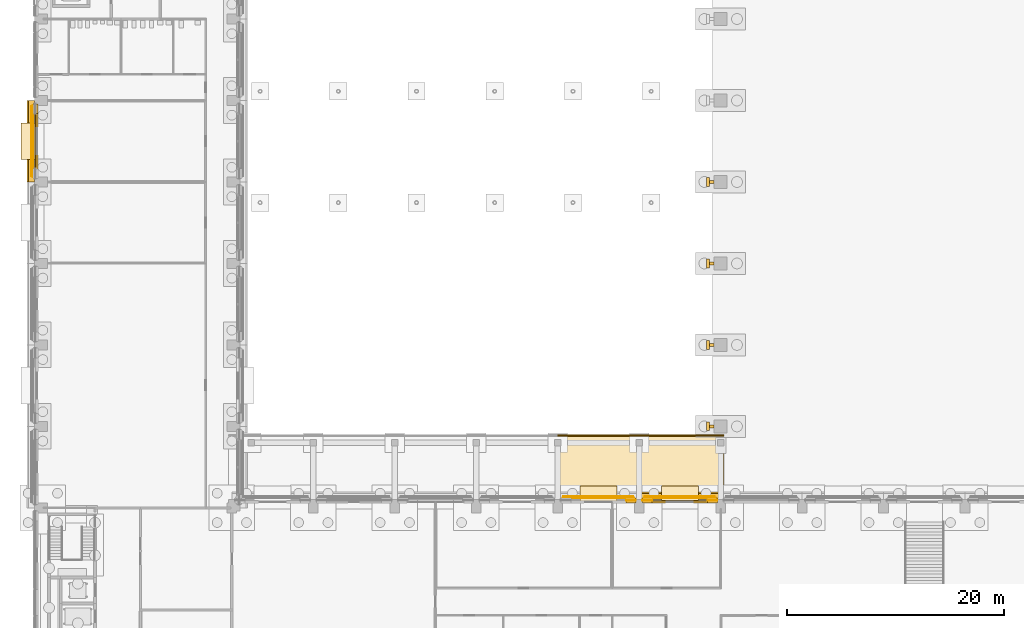
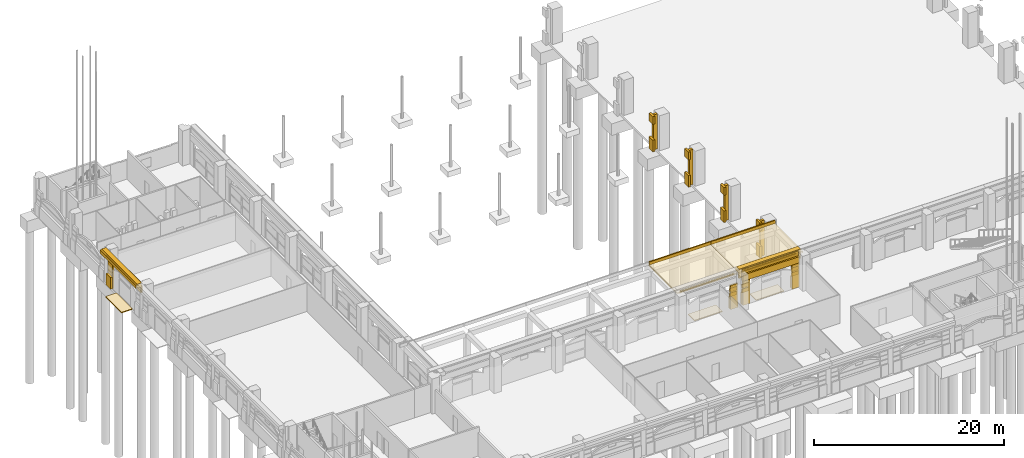
# One storey, part 74 of 99: 40 coverings, 1 element without a shape of its own.
"""IFC4 building model written with IfcOpenShell, lengths in metres."""

from ifc_helpers import new_model, si_unit, direction, frame, origin, place, context, subcontext, project, spatial, polyline, outline, extrude, material, layer, layer_set, type_object, element, aggregate, save


model = new_model("IFC4")

# Units and contexts
model_context = context("Model", 3, precision=1e-05, world=origin(), true_north=direction((0.0, 1.0)))
body_context = subcontext(model_context, "Body", "Model", "MODEL_VIEW")
ifc_project = project(units=[si_unit("LENGTHUNIT", "METRE"), si_unit("AREAUNIT", "SQUARE_METRE"), si_unit("VOLUMEUNIT", "CUBIC_METRE"), si_unit("PLANEANGLEUNIT", "RADIAN"), si_unit("MASSUNIT", "GRAM", prefix="KILO")], contexts=[model_context])

# Site, building, storey
site_placement = place(None, origin())
site = spatial("IfcSite", under=ifc_project, at=site_placement, CompositionType="ELEMENT")
building_placement = place(site_placement, origin())
building = spatial("IfcBuilding", under=site, at=building_placement, Name="Cour d'Honneur Mobility Palace", CompositionType="ELEMENT")
storey_placement = place(building_placement, origin())
storey = spatial("IfcBuildingStorey", under=building, at=storey_placement, Name="L00", CompositionType="ELEMENT", Elevation=0.0)

# Roof, coverings
ifc_material_1 = material(Name="Concrete C50", Category="concrete")
ifc_layer_1 = layer(ifc_material_1, 0.199951171875)
ifc_layer_set_1 = layer_set([ifc_layer_1], Name="Concrete C50")
roof_type = type_object("IfcRoofType", Name="Arcade canopy", PredefinedType="FLAT_ROOF", material=ifc_layer_set_1)
roof_placement = place(storey_placement, origin())
roof = element("IfcRoof", 1, at=roof_placement, inside=storey, type_object=roof_type, Name="Arcade canopy W", PredefinedType="FLAT_ROOF")
ifc_material_2 = material(Name="Concrete C50", Category="concrete")
ifc_layer_2 = layer(ifc_material_2, 0.199951171875)
ifc_layer_set_2 = layer_set([ifc_layer_2], Name="Concrete C50")
covering_type_1 = type_object("IfcCoveringType", Name="Arcade canopy slab 200", PredefinedType="ROOFING", material=ifc_layer_set_2)
covering_1_placement = place(storey_placement, frame((0.0, 0.0, 4.0)))
covering_1 = element("IfcCovering", 2, at=covering_1_placement, type_object=covering_type_1, Name="Arcade canopy slab AS-W5", PredefinedType="ROOFING", context=body_context, shape_type="SweptSolid", body=[
    extrude(outline(polyline([(47.39990234375, 63.14990234375), (54.89990234375, 63.14990234375), (54.89990234375, 69.14990234375), (47.39990234375, 69.14990234375), (47.39990234375, 63.14990234375)])), origin(), (0.0, 0.0, 1.0), 0.199951171875),
])
covering_2_placement = place(storey_placement, frame((0.0, 0.0, 4.0)))
covering_2 = element("IfcCovering", 3, at=covering_2_placement, type_object=covering_type_1, Name="Arcade canopy slab AS-W6", PredefinedType="ROOFING", context=body_context, shape_type="SweptSolid", body=[
    extrude(outline(polyline([(54.89990234375, 63.14990234375), (62.699951171875, 63.14990234375), (62.699951171875, 69.14990234375), (54.89990234375, 69.14990234375), (54.89990234375, 63.14990234375)])), origin(), (0.0, 0.0, 1.0), 0.199951171875),
])
ifc_material_3 = material(Name="Concrete C50", Category="concrete")
ifc_layer_3 = layer(ifc_material_3, 0.14990234375)
ifc_layer_set_3 = layer_set([ifc_layer_3], Name="Concrete C50")
covering_type_2 = type_object("IfcCoveringType", Name="Arcade parapet 400", PredefinedType="CLADDING", material=ifc_layer_set_3)
covering_3_placement = place(storey_placement, frame((0.0, 0.0, 4.199951171875)))
covering_3 = element("IfcCovering", 4, at=covering_3_placement, type_object=covering_type_2, Name="Arcade parapet AP-W5", PredefinedType="CLADDING", context=body_context, shape_type="SweptSolid", body=[
    extrude(outline(polyline([(47.39990234375, 69.0), (54.89990234375, 69.0), (54.89990234375, 69.14990234375), (47.39990234375, 69.14990234375), (47.39990234375, 69.0)])), origin(), (0.0, 0.0, 1.0), 0.400146484375),
])
covering_4_placement = place(storey_placement, frame((0.0, 0.0, 4.199951171875)))
covering_4 = element("IfcCovering", 5, at=covering_4_placement, type_object=covering_type_2, Name="Arcade parapet AP-W6", PredefinedType="CLADDING", context=body_context, shape_type="SweptSolid", body=[
    extrude(outline(polyline([(54.89990234375, 69.0), (62.699951171875, 69.0), (62.699951171875, 69.14990234375), (54.89990234375, 69.14990234375), (54.89990234375, 69.0)])), origin(), (0.0, 0.0, 1.0), 0.400146484375),
])
aggregate(roof, [covering_1, covering_3, covering_2, covering_4])

# Coverings
ifc_material_4 = material(Name="Cast limestone", Category="masonry")
ifc_layer_4 = layer(ifc_material_4, 0.14990234375)
ifc_layer_set_4 = layer_set([ifc_layer_4], Name="Cast limestone")
covering_type_3 = type_object("IfcCoveringType", Name="Dentil course", PredefinedType="CLADDING", material=ifc_layer_set_4)
covering_5_placement = place(storey_placement, frame((0.0, 0.0, 3.949951171875)))
element("IfcCovering", 6, at=covering_5_placement, inside=storey, type_object=covering_type_3, Name="Dentil course DC-49", PredefinedType="CLADDING", context=body_context, shape_type="SweptSolid", body=[
    extrude(outline(polyline([(61.949951171875, 63.300048828125), (55.35009765625, 63.300048828125), (55.35009765625, 63.330078125), (55.35009765625, 63.330078125), (55.428466796875, 63.330078125), (55.428466796875, 63.449951171875), (55.585693359375, 63.449951171875), (55.585693359375, 63.330078125), (55.664306640625, 63.330078125), (55.664306640625, 63.330078125), (55.742919921875, 63.330078125), (55.742919921875, 63.449951171875), (55.89990234375, 63.449951171875), (55.89990234375, 63.330078125), (55.978515625, 63.330078125), (55.978515625, 63.330078125), (56.05712890625, 63.330078125), (56.05712890625, 63.449951171875), (56.21435546875, 63.449951171875), (56.21435546875, 63.330078125), (56.29296875, 63.330078125), (56.29296875, 63.330078125), (56.371337890625, 63.330078125), (56.371337890625, 63.449951171875), (56.528564453125, 63.449951171875), (56.528564453125, 63.330078125), (56.607177734375, 63.330078125), (56.607177734375, 63.330078125), (56.685791015625, 63.330078125), (56.685791015625, 63.449951171875), (56.8427734375, 63.449951171875), (56.8427734375, 63.330078125), (56.92138671875, 63.330078125), (56.92138671875, 63.330078125), (57.0, 63.330078125), (57.0, 63.449951171875), (57.1572265625, 63.449951171875), (57.1572265625, 63.330078125), (57.235595703125, 63.330078125), (57.235595703125, 63.330078125), (57.314208984375, 63.330078125), (57.314208984375, 63.449951171875), (57.471435546875, 63.449951171875), (57.471435546875, 63.330078125), (57.550048828125, 63.330078125), (57.550048828125, 63.330078125), (57.628662109375, 63.330078125), (57.628662109375, 63.449951171875), (57.78564453125, 63.449951171875), (57.78564453125, 63.330078125), (57.8642578125, 63.330078125), (57.8642578125, 63.330078125), (57.94287109375, 63.330078125), (57.94287109375, 63.449951171875), (58.10009765625, 63.449951171875), (58.10009765625, 63.330078125), (58.178466796875, 63.330078125), (58.178466796875, 63.330078125), (58.257080078125, 63.330078125), (58.257080078125, 63.449951171875), (58.414306640625, 63.449951171875), (58.414306640625, 63.330078125), (58.492919921875, 63.330078125), (58.492919921875, 63.330078125), (58.571533203125, 63.330078125), (58.571533203125, 63.449951171875), (58.728515625, 63.449951171875), (58.728515625, 63.330078125), (58.80712890625, 63.330078125), (58.80712890625, 63.330078125), (58.8857421875, 63.330078125), (58.8857421875, 63.449951171875), (59.04296875, 63.449951171875), (59.04296875, 63.330078125), (59.121337890625, 63.330078125), (59.121337890625, 63.330078125), (59.199951171875, 63.330078125), (59.199951171875, 63.449951171875), (59.357177734375, 63.449951171875), (59.357177734375, 63.330078125), (59.435791015625, 63.330078125), (59.435791015625, 63.330078125), (59.514404296875, 63.330078125), (59.514404296875, 63.449951171875), (59.67138671875, 63.449951171875), (59.67138671875, 63.330078125), (59.75, 63.330078125), (59.75, 63.330078125), (59.82861328125, 63.330078125), (59.82861328125, 63.449951171875), (59.985595703125, 63.449951171875), (59.985595703125, 63.330078125), (60.064208984375, 63.330078125), (60.064208984375, 63.330078125), (60.142822265625, 63.330078125), (60.142822265625, 63.449951171875), (60.300048828125, 63.449951171875), (60.300048828125, 63.330078125), (60.378662109375, 63.330078125), (60.378662109375, 63.330078125), (60.45703125, 63.330078125), (60.45703125, 63.449951171875), (60.6142578125, 63.449951171875), (60.6142578125, 63.330078125), (60.69287109375, 63.330078125), (60.69287109375, 63.330078125), (60.771484375, 63.330078125), (60.771484375, 63.449951171875), (60.928466796875, 63.449951171875), (60.928466796875, 63.330078125), (61.007080078125, 63.330078125), (61.007080078125, 63.330078125), (61.085693359375, 63.330078125), (61.085693359375, 63.449951171875), (61.242919921875, 63.449951171875), (61.242919921875, 63.330078125), (61.321533203125, 63.330078125), (61.321533203125, 63.330078125), (61.39990234375, 63.330078125), (61.39990234375, 63.449951171875), (61.55712890625, 63.449951171875), (61.55712890625, 63.330078125), (61.6357421875, 63.330078125), (61.6357421875, 63.330078125), (61.71435546875, 63.330078125), (61.71435546875, 63.449951171875), (61.871337890625, 63.449951171875), (61.871337890625, 63.330078125), (61.949951171875, 63.330078125), (61.949951171875, 63.300048828125)])), origin(), (0.0, 0.0, 1.0), 0.150146484375),
])
covering_6_placement = place(storey_placement, frame((0.0, 0.0, 3.949951171875)))
element("IfcCovering", 7, at=covering_6_placement, inside=storey, type_object=covering_type_3, Name="Dentil course DC-50", PredefinedType="CLADDING", context=body_context, shape_type="SweptSolid", body=[
    extrude(outline(polyline([(54.449951171875, 63.300048828125), (47.85009765625, 63.300048828125), (47.85009765625, 63.330078125), (47.85009765625, 63.330078125), (47.928466796875, 63.330078125), (47.928466796875, 63.449951171875), (48.085693359375, 63.449951171875), (48.085693359375, 63.330078125), (48.164306640625, 63.330078125), (48.164306640625, 63.330078125), (48.242919921875, 63.330078125), (48.242919921875, 63.449951171875), (48.39990234375, 63.449951171875), (48.39990234375, 63.330078125), (48.478515625, 63.330078125), (48.478515625, 63.330078125), (48.55712890625, 63.330078125), (48.55712890625, 63.449951171875), (48.71435546875, 63.449951171875), (48.71435546875, 63.330078125), (48.79296875, 63.330078125), (48.79296875, 63.330078125), (48.871337890625, 63.330078125), (48.871337890625, 63.449951171875), (49.028564453125, 63.449951171875), (49.028564453125, 63.330078125), (49.107177734375, 63.330078125), (49.107177734375, 63.330078125), (49.185791015625, 63.330078125), (49.185791015625, 63.449951171875), (49.3427734375, 63.449951171875), (49.3427734375, 63.330078125), (49.42138671875, 63.330078125), (49.42138671875, 63.330078125), (49.5, 63.330078125), (49.5, 63.449951171875), (49.6572265625, 63.449951171875), (49.6572265625, 63.330078125), (49.735595703125, 63.330078125), (49.735595703125, 63.330078125), (49.814208984375, 63.330078125), (49.814208984375, 63.449951171875), (49.971435546875, 63.449951171875), (49.971435546875, 63.330078125), (50.050048828125, 63.330078125), (50.050048828125, 63.330078125), (50.128662109375, 63.330078125), (50.128662109375, 63.449951171875), (50.28564453125, 63.449951171875), (50.28564453125, 63.330078125), (50.3642578125, 63.330078125), (50.3642578125, 63.330078125), (50.44287109375, 63.330078125), (50.44287109375, 63.449951171875), (50.60009765625, 63.449951171875), (50.60009765625, 63.330078125), (50.678466796875, 63.330078125), (50.678466796875, 63.330078125), (50.757080078125, 63.330078125), (50.757080078125, 63.449951171875), (50.914306640625, 63.449951171875), (50.914306640625, 63.330078125), (50.992919921875, 63.330078125), (50.992919921875, 63.330078125), (51.071533203125, 63.330078125), (51.071533203125, 63.449951171875), (51.228515625, 63.449951171875), (51.228515625, 63.330078125), (51.30712890625, 63.330078125), (51.30712890625, 63.330078125), (51.3857421875, 63.330078125), (51.3857421875, 63.449951171875), (51.54296875, 63.449951171875), (51.54296875, 63.330078125), (51.621337890625, 63.330078125), (51.621337890625, 63.330078125), (51.699951171875, 63.330078125), (51.699951171875, 63.449951171875), (51.857177734375, 63.449951171875), (51.857177734375, 63.330078125), (51.935791015625, 63.330078125), (51.935791015625, 63.330078125), (52.014404296875, 63.330078125), (52.014404296875, 63.449951171875), (52.17138671875, 63.449951171875), (52.17138671875, 63.330078125), (52.25, 63.330078125), (52.25, 63.330078125), (52.32861328125, 63.330078125), (52.32861328125, 63.449951171875), (52.485595703125, 63.449951171875), (52.485595703125, 63.330078125), (52.564208984375, 63.330078125), (52.564208984375, 63.330078125), (52.642822265625, 63.330078125), (52.642822265625, 63.449951171875), (52.800048828125, 63.449951171875), (52.800048828125, 63.330078125), (52.878662109375, 63.330078125), (52.878662109375, 63.330078125), (52.95703125, 63.330078125), (52.95703125, 63.449951171875), (53.1142578125, 63.449951171875), (53.1142578125, 63.330078125), (53.19287109375, 63.330078125), (53.19287109375, 63.330078125), (53.271484375, 63.330078125), (53.271484375, 63.449951171875), (53.428466796875, 63.449951171875), (53.428466796875, 63.330078125), (53.507080078125, 63.330078125), (53.507080078125, 63.330078125), (53.585693359375, 63.330078125), (53.585693359375, 63.449951171875), (53.742919921875, 63.449951171875), (53.742919921875, 63.330078125), (53.821533203125, 63.330078125), (53.821533203125, 63.330078125), (53.89990234375, 63.330078125), (53.89990234375, 63.449951171875), (54.05712890625, 63.449951171875), (54.05712890625, 63.330078125), (54.1357421875, 63.330078125), (54.1357421875, 63.330078125), (54.21435546875, 63.330078125), (54.21435546875, 63.449951171875), (54.371337890625, 63.449951171875), (54.371337890625, 63.330078125), (54.449951171875, 63.330078125), (54.449951171875, 63.300048828125)])), origin(), (0.0, 0.0, 1.0), 0.150146484375),
])
covering_7_placement = place(storey_placement, frame((0.0, 0.0, 3.949951171875)))
element("IfcCovering", 8, at=covering_7_placement, inside=storey, type_object=covering_type_3, Name="Dentil course DC-62", PredefinedType="CLADDING", context=body_context, shape_type="SweptSolid", body=[
    extrude(outline(polyline([(-0.89990234375, 99.449951171875), (-0.89990234375, 92.85009765625), (-0.929931640625, 92.85009765625), (-0.929931640625, 92.85009765625), (-0.929931640625, 92.928466796875), (-1.050048828125, 92.928466796875), (-1.050048828125, 93.085693359375), (-0.929931640625, 93.085693359375), (-0.929931640625, 93.164306640625), (-0.929931640625, 93.164306640625), (-0.929931640625, 93.242919921875), (-1.050048828125, 93.242919921875), (-1.050048828125, 93.39990234375), (-0.929931640625, 93.39990234375), (-0.929931640625, 93.478515625), (-0.929931640625, 93.478515625), (-0.929931640625, 93.55712890625), (-1.050048828125, 93.55712890625), (-1.050048828125, 93.71435546875), (-0.929931640625, 93.71435546875), (-0.929931640625, 93.79296875), (-0.929931640625, 93.79296875), (-0.929931640625, 93.871337890625), (-1.050048828125, 93.871337890625), (-1.050048828125, 94.028564453125), (-0.929931640625, 94.028564453125), (-0.929931640625, 94.107177734375), (-0.929931640625, 94.107177734375), (-0.929931640625, 94.185791015625), (-1.050048828125, 94.185791015625), (-1.050048828125, 94.3427734375), (-0.929931640625, 94.3427734375), (-0.929931640625, 94.42138671875), (-0.929931640625, 94.42138671875), (-0.929931640625, 94.5), (-1.050048828125, 94.5), (-1.050048828125, 94.6572265625), (-0.929931640625, 94.6572265625), (-0.929931640625, 94.735595703125), (-0.929931640625, 94.735595703125), (-0.929931640625, 94.814208984375), (-1.050048828125, 94.814208984375), (-1.050048828125, 94.971435546875), (-0.929931640625, 94.971435546875), (-0.929931640625, 95.050048828125), (-0.929931640625, 95.050048828125), (-0.929931640625, 95.128662109375), (-1.050048828125, 95.128662109375), (-1.050048828125, 95.28564453125), (-0.929931640625, 95.28564453125), (-0.929931640625, 95.3642578125), (-0.929931640625, 95.3642578125), (-0.929931640625, 95.44287109375), (-1.050048828125, 95.44287109375), (-1.050048828125, 95.60009765625), (-0.929931640625, 95.60009765625), (-0.929931640625, 95.678466796875), (-0.929931640625, 95.678466796875), (-0.929931640625, 95.757080078125), (-1.050048828125, 95.757080078125), (-1.050048828125, 95.914306640625), (-0.929931640625, 95.914306640625), (-0.929931640625, 95.992919921875), (-0.929931640625, 95.992919921875), (-0.929931640625, 96.071533203125), (-1.050048828125, 96.071533203125), (-1.050048828125, 96.228515625), (-0.929931640625, 96.228515625), (-0.929931640625, 96.30712890625), (-0.929931640625, 96.30712890625), (-0.929931640625, 96.3857421875), (-1.050048828125, 96.3857421875), (-1.050048828125, 96.54296875), (-0.929931640625, 96.54296875), (-0.929931640625, 96.621337890625), (-0.929931640625, 96.621337890625), (-0.929931640625, 96.699951171875), (-1.050048828125, 96.699951171875), (-1.050048828125, 96.857177734375), (-0.929931640625, 96.857177734375), (-0.929931640625, 96.935791015625), (-0.929931640625, 96.935791015625), (-0.929931640625, 97.014404296875), (-1.050048828125, 97.014404296875), (-1.050048828125, 97.17138671875), (-0.929931640625, 97.17138671875), (-0.929931640625, 97.25), (-0.929931640625, 97.25), (-0.929931640625, 97.32861328125), (-1.050048828125, 97.32861328125), (-1.050048828125, 97.485595703125), (-0.929931640625, 97.485595703125), (-0.929931640625, 97.564208984375), (-0.929931640625, 97.564208984375), (-0.929931640625, 97.642822265625), (-1.050048828125, 97.642822265625), (-1.050048828125, 97.800048828125), (-0.929931640625, 97.800048828125), (-0.929931640625, 97.878662109375), (-0.929931640625, 97.878662109375), (-0.929931640625, 97.95703125), (-1.050048828125, 97.95703125), (-1.050048828125, 98.1142578125), (-0.929931640625, 98.1142578125), (-0.929931640625, 98.19287109375), (-0.929931640625, 98.19287109375), (-0.929931640625, 98.271484375), (-1.050048828125, 98.271484375), (-1.050048828125, 98.428466796875), (-0.929931640625, 98.428466796875), (-0.929931640625, 98.507080078125), (-0.929931640625, 98.507080078125), (-0.929931640625, 98.585693359375), (-1.050048828125, 98.585693359375), (-1.050048828125, 98.742919921875), (-0.929931640625, 98.742919921875), (-0.929931640625, 98.821533203125), (-0.929931640625, 98.821533203125), (-0.929931640625, 98.89990234375), (-1.050048828125, 98.89990234375), (-1.050048828125, 99.05712890625), (-0.929931640625, 99.05712890625), (-0.929931640625, 99.1357421875), (-0.929931640625, 99.1357421875), (-0.929931640625, 99.21435546875), (-1.050048828125, 99.21435546875), (-1.050048828125, 99.371337890625), (-0.929931640625, 99.371337890625), (-0.929931640625, 99.449951171875), (-0.89990234375, 99.449951171875)])), origin(), (0.0, 0.0, 1.0), 0.150146484375),
])
ifc_material_5 = material(Name="Cast limestone", Category="masonry")
ifc_layer_5 = layer(ifc_material_5, 0.699951171875)
ifc_layer_set_5 = layer_set([ifc_layer_5], Name="Cast limestone")
covering_type_4 = type_object("IfcCoveringType", Name="Entablature", PredefinedType="CLADDING", material=ifc_layer_set_5)
covering_8_placement = place(storey_placement, frame((62.39990234375, 63.14990234375, 3.39990234375), z_axis=(1.0, 0.0, 0.0), x_axis=(0.0, 1.0, 0.0)))
element("IfcCovering", 9, at=covering_8_placement, inside=storey, type_object=covering_type_4, Name="Entablature EN-49", PredefinedType="CLADDING", context=body_context, shape_type="SweptSolid", body=[
    extrude(outline(polyline([(0.0, 0.0), (0.150146484375, 0.0), (0.150146484375, 0.7001953125), (0.7001953125, 0.7001953125), (0.7001953125, 1.10009765625), (0.550048828125, 1.2001953125), (0.0, 1.2001953125), (0.0, 0.0)])), origin(), (0.0, 0.0, -1.0), 7.5),
])
covering_9_placement = place(storey_placement, frame((-0.75, 99.89990234375, 3.39990234375), z_axis=(0.0, 1.0, 0.0), x_axis=(-1.0, 0.0, 0.0)))
element("IfcCovering", 10, at=covering_9_placement, inside=storey, type_object=covering_type_4, Name="Entablature EN-62", PredefinedType="CLADDING", context=body_context, shape_type="SweptSolid", body=[
    extrude(outline(polyline([(0.0, 0.0), (0.14990234375, 0.0), (0.14990234375, 0.7001953125), (0.699951171875, 0.7001953125), (0.699951171875, 1.10009765625), (0.550048828125, 1.2001953125), (0.0, 1.2001953125), (0.0, 0.0)])), origin(), (0.0, 0.0, -1.0), 7.5),
])
ifc_material_6 = material(Name="Granite paving", Category="masonry")
ifc_layer_6 = layer(ifc_material_6, 0.10009765625)
ifc_layer_set_6 = layer_set([ifc_layer_6], Name="Granite paving")
covering_type_5 = type_object("IfcCoveringType", Name="Entrance paving", PredefinedType="FLOORING", material=ifc_layer_set_6)
covering_10_placement = place(storey_placement, frame((0.0, 0.0, -0.10009765625)))
element("IfcCovering", 11, at=covering_10_placement, inside=storey, type_object=covering_type_5, Name="Entrance paving PV-21", PredefinedType="FLOORING", context=body_context, shape_type="SweptSolid", body=[
    extrude(outline(polyline([(60.35009765625, 63.050048828125), (56.949951171875, 63.050048828125), (56.949951171875, 64.39990234375), (60.35009765625, 64.39990234375), (60.35009765625, 63.050048828125)])), origin(), (0.0, 0.0, 1.0), 0.10009765625),
])
covering_11_placement = place(storey_placement, frame((0.0, 0.0, -0.10009765625)))
element("IfcCovering", 12, at=covering_11_placement, inside=storey, type_object=covering_type_5, Name="Entrance paving PV-22", PredefinedType="FLOORING", context=body_context, shape_type="SweptSolid", body=[
    extrude(outline(polyline([(52.85009765625, 63.050048828125), (49.449951171875, 63.050048828125), (49.449951171875, 64.39990234375), (52.85009765625, 64.39990234375), (52.85009765625, 63.050048828125)])), origin(), (0.0, 0.0, 1.0), 0.10009765625),
])
covering_12_placement = place(storey_placement, frame((0.0, 0.0, -0.10009765625)))
element("IfcCovering", 13, at=covering_12_placement, inside=storey, type_object=covering_type_5, Name="Entrance paving PV-26", PredefinedType="FLOORING", context=body_context, shape_type="SweptSolid", body=[
    extrude(outline(polyline([(-0.64990234375, 97.85009765625), (-0.64990234375, 94.449951171875), (-2.0, 94.449951171875), (-2.0, 97.85009765625), (-0.64990234375, 97.85009765625)])), origin(), (0.0, 0.0, 1.0), 0.10009765625),
])
ifc_material_7 = material(Name="Cast limestone", Category="masonry")
ifc_layer_7 = layer(ifc_material_7, 0.300048828125)
ifc_layer_set_7 = layer_set([ifc_layer_7], Name="Cast limestone")
covering_type_6 = type_object("IfcCoveringType", Name="Pier fin", PredefinedType="CLADDING", material=ifc_layer_set_7)
covering_13_placement = place(storey_placement, origin())
element("IfcCovering", 14, at=covering_13_placement, inside=storey, type_object=covering_type_6, Name="Pier fin HP-W2 L00", PredefinedType="CLADDING", context=body_context, shape_type="SweptSolid", body=[
    extrude(outline(polyline([(61.35009765625, 69.75), (61.800048828125, 69.75), (61.800048828125, 70.050048828125), (61.35009765625, 70.050048828125), (61.35009765625, 69.75)])), origin(), (0.0, 0.0, 1.0), 4.5),
])
covering_14_placement = place(storey_placement, origin())
element("IfcCovering", 15, at=covering_14_placement, inside=storey, type_object=covering_type_6, Name="Pier fin HP-W3 L00", PredefinedType="CLADDING", context=body_context, shape_type="SweptSolid", body=[
    extrude(outline(polyline([(61.35009765625, 77.25), (61.800048828125, 77.25), (61.800048828125, 77.550048828125), (61.35009765625, 77.550048828125), (61.35009765625, 77.25)])), origin(), (0.0, 0.0, 1.0), 4.5),
])
covering_15_placement = place(storey_placement, origin())
element("IfcCovering", 16, at=covering_15_placement, inside=storey, type_object=covering_type_6, Name="Pier fin HP-W4 L00", PredefinedType="CLADDING", context=body_context, shape_type="SweptSolid", body=[
    extrude(outline(polyline([(61.35009765625, 84.75), (61.800048828125, 84.75), (61.800048828125, 85.050048828125), (61.35009765625, 85.050048828125), (61.35009765625, 84.75)])), origin(), (0.0, 0.0, 1.0), 4.5),
])
covering_16_placement = place(storey_placement, origin())
element("IfcCovering", 17, at=covering_16_placement, inside=storey, type_object=covering_type_6, Name="Pier fin HP-W5 L00", PredefinedType="CLADDING", context=body_context, shape_type="SweptSolid", body=[
    extrude(outline(polyline([(61.35009765625, 92.25), (61.800048828125, 92.25), (61.800048828125, 92.550048828125), (61.35009765625, 92.550048828125), (61.35009765625, 92.25)])), origin(), (0.0, 0.0, 1.0), 4.5),
])
ifc_material_8 = material(Name="Cast limestone", Category="masonry")
ifc_layer_8 = layer(ifc_material_8, 0.14990234375)
ifc_layer_set_8 = layer_set([ifc_layer_8], Name="Cast limestone")
covering_type_7 = type_object("IfcCoveringType", Name="Pilaster base", PredefinedType="CLADDING", material=ifc_layer_set_8)
covering_17_placement = place(storey_placement, origin())
element("IfcCovering", 18, at=covering_17_placement, inside=storey, type_object=covering_type_7, Name="Hall pilaster base HP-W2", PredefinedType="CLADDING", context=body_context, shape_type="SweptSolid", body=[
    extrude(outline(polyline([(61.10009765625, 69.5), (61.35009765625, 69.5), (61.35009765625, 70.300048828125), (61.10009765625, 70.300048828125), (61.10009765625, 69.5)])), origin(), (0.0, 0.0, 1.0), 1.5),
])
covering_18_placement = place(storey_placement, origin())
element("IfcCovering", 19, at=covering_18_placement, inside=storey, type_object=covering_type_7, Name="Hall pilaster base HP-W3", PredefinedType="CLADDING", context=body_context, shape_type="SweptSolid", body=[
    extrude(outline(polyline([(61.10009765625, 77.0), (61.35009765625, 77.0), (61.35009765625, 77.800048828125), (61.10009765625, 77.800048828125), (61.10009765625, 77.0)])), origin(), (0.0, 0.0, 1.0), 1.5),
])
covering_19_placement = place(storey_placement, origin())
element("IfcCovering", 20, at=covering_19_placement, inside=storey, type_object=covering_type_7, Name="Hall pilaster base HP-W4", PredefinedType="CLADDING", context=body_context, shape_type="SweptSolid", body=[
    extrude(outline(polyline([(61.10009765625, 84.5), (61.35009765625, 84.5), (61.35009765625, 85.300048828125), (61.10009765625, 85.300048828125), (61.10009765625, 84.5)])), origin(), (0.0, 0.0, 1.0), 1.5),
])
covering_20_placement = place(storey_placement, origin())
element("IfcCovering", 21, at=covering_20_placement, inside=storey, type_object=covering_type_7, Name="Hall pilaster base HP-W5", PredefinedType="CLADDING", context=body_context, shape_type="SweptSolid", body=[
    extrude(outline(polyline([(61.10009765625, 92.0), (61.35009765625, 92.0), (61.35009765625, 92.800048828125), (61.10009765625, 92.800048828125), (61.10009765625, 92.0)])), origin(), (0.0, 0.0, 1.0), 1.5),
])
ifc_material_9 = material(Name="Cast limestone", Category="masonry")
ifc_layer_9 = layer(ifc_material_9, 0.1201171875)
ifc_layer_set_9 = layer_set([ifc_layer_9], Name="Cast limestone")
covering_type_8 = type_object("IfcCoveringType", Name="Pilaster capital", PredefinedType="CLADDING", material=ifc_layer_set_9)
covering_21_placement = place(storey_placement, frame((0.0, 0.0, 3.5)))
element("IfcCovering", 22, at=covering_21_placement, inside=storey, type_object=covering_type_8, Name="Hall pilaster capital HP-W2", PredefinedType="CLADDING", context=body_context, shape_type="SweptSolid", body=[
    extrude(outline(polyline([(61.10009765625, 69.5), (61.35009765625, 69.5), (61.35009765625, 70.300048828125), (61.10009765625, 70.300048828125), (61.10009765625, 69.5)])), origin(), (0.0, 0.0, 1.0), 1.0),
])
covering_22_placement = place(storey_placement, frame((0.0, 0.0, 3.5)))
element("IfcCovering", 23, at=covering_22_placement, inside=storey, type_object=covering_type_8, Name="Hall pilaster capital HP-W3", PredefinedType="CLADDING", context=body_context, shape_type="SweptSolid", body=[
    extrude(outline(polyline([(61.10009765625, 77.0), (61.35009765625, 77.0), (61.35009765625, 77.800048828125), (61.10009765625, 77.800048828125), (61.10009765625, 77.0)])), origin(), (0.0, 0.0, 1.0), 1.0),
])
covering_23_placement = place(storey_placement, frame((0.0, 0.0, 3.5)))
element("IfcCovering", 24, at=covering_23_placement, inside=storey, type_object=covering_type_8, Name="Hall pilaster capital HP-W4", PredefinedType="CLADDING", context=body_context, shape_type="SweptSolid", body=[
    extrude(outline(polyline([(61.10009765625, 84.5), (61.35009765625, 84.5), (61.35009765625, 85.300048828125), (61.10009765625, 85.300048828125), (61.10009765625, 84.5)])), origin(), (0.0, 0.0, 1.0), 1.0),
])
covering_24_placement = place(storey_placement, frame((0.0, 0.0, 3.5)))
element("IfcCovering", 25, at=covering_24_placement, inside=storey, type_object=covering_type_8, Name="Hall pilaster capital HP-W5", PredefinedType="CLADDING", context=body_context, shape_type="SweptSolid", body=[
    extrude(outline(polyline([(61.10009765625, 92.0), (61.35009765625, 92.0), (61.35009765625, 92.800048828125), (61.10009765625, 92.800048828125), (61.10009765625, 92.0)])), origin(), (0.0, 0.0, 1.0), 1.0),
])
ifc_material_10 = material(Name="Cast limestone", Category="masonry")
ifc_layer_10 = layer(ifc_material_10, 0.25)
ifc_layer_set_10 = layer_set([ifc_layer_10], Name="Cast limestone")
covering_type_9 = type_object("IfcCoveringType", Name="Plinth course", PredefinedType="CLADDING", material=ifc_layer_set_10)
covering_25_placement = place(storey_placement, origin())
element("IfcCovering", 26, at=covering_25_placement, inside=storey, type_object=covering_type_9, Name="Plinth course PI-161", PredefinedType="CLADDING", context=body_context, shape_type="SweptSolid", body=[
    extrude(outline(polyline([(62.10009765625, 63.050048828125), (61.199951171875, 63.050048828125), (61.199951171875, 63.300048828125), (62.10009765625, 63.300048828125), (62.10009765625, 63.050048828125)])), origin(), (0.0, 0.0, 1.0), 1.5),
])
covering_26_placement = place(storey_placement, origin())
element("IfcCovering", 27, at=covering_26_placement, inside=storey, type_object=covering_type_9, Name="Plinth course PI-162", PredefinedType="CLADDING", context=body_context, shape_type="SweptSolid", body=[
    extrude(outline(polyline([(56.10009765625, 63.050048828125), (55.199951171875, 63.050048828125), (55.199951171875, 63.300048828125), (56.10009765625, 63.300048828125), (56.10009765625, 63.050048828125)])), origin(), (0.0, 0.0, 1.0), 1.5),
])
covering_27_placement = place(storey_placement, origin())
element("IfcCovering", 28, at=covering_27_placement, inside=storey, type_object=covering_type_9, Name="Plinth course PI-163", PredefinedType="CLADDING", context=body_context, shape_type="SweptSolid", body=[
    extrude(outline(polyline([(54.60009765625, 63.050048828125), (53.699951171875, 63.050048828125), (53.699951171875, 63.300048828125), (54.60009765625, 63.300048828125), (54.60009765625, 63.050048828125)])), origin(), (0.0, 0.0, 1.0), 1.5),
])
covering_28_placement = place(storey_placement, origin())
element("IfcCovering", 29, at=covering_28_placement, inside=storey, type_object=covering_type_9, Name="Plinth course PI-196", PredefinedType="CLADDING", context=body_context, shape_type="SweptSolid", body=[
    extrude(outline(polyline([(-0.64990234375, 99.60009765625), (-0.64990234375, 98.699951171875), (-0.89990234375, 98.699951171875), (-0.89990234375, 99.60009765625), (-0.64990234375, 99.60009765625)])), origin(), (0.0, 0.0, 1.0), 1.5),
])
ifc_material_11 = material(Name="Cast limestone", Category="masonry")
ifc_layer_11 = layer(ifc_material_11, 0.199951171875)
ifc_layer_set_11 = layer_set([ifc_layer_11], Name="Cast limestone")
covering_type_10 = type_object("IfcCoveringType", Name="Rusticated jamb panel", PredefinedType="CLADDING", material=ifc_layer_set_11)
for number, where, z_axis, x_axis, name in (
    (30, (62.10009765625, 63.050048828125, 0.0), (0.0, 1.0, 0.0), (-1.0, 0.0, 0.0), "Rusticated jamb panel RP-134"),
    (31, (56.10009765625, 63.050048828125, 0.0), (0.0, 1.0, 0.0), (-1.0, 0.0, 0.0), "Rusticated jamb panel RP-135"),
    (32, (54.60009765625, 63.050048828125, 0.0), (0.0, 1.0, 0.0), (-1.0, 0.0, 0.0), "Rusticated jamb panel RP-136"),
    (33, (-0.64990234375, 99.60009765625, 0.0), (-1.0, 0.0, 0.0), (0.0, -1.0, 0.0), "Rusticated jamb panel RP-167"),
):
    element("IfcCovering", number, at=place(storey_placement, frame(where, z_axis=z_axis, x_axis=x_axis)), inside=storey, type_object=covering_type_10, Name=name, PredefinedType="CLADDING", context=body_context, shape_type="SweptSolid", body=[
        extrude(outline(polyline([(0.0, 0.0), (0.900146484375, 0.0), (0.900146484375, 3.10009765625), (0.0, 3.10009765625), (0.0, 0.0)])), origin(), (0.0, 0.0, -1.0), 0.199951171875),
    ])
ifc_material_12 = material(Name="Cast limestone", Category="masonry")
ifc_layer_12 = layer(ifc_material_12, 0.080078125)
ifc_layer_set_12 = layer_set([ifc_layer_12], Name="Cast limestone")
covering_type_11 = type_object("IfcCoveringType", Name="Rustication course", PredefinedType="CLADDING", material=ifc_layer_set_12)
for number, where, name in (
    (34, (0.0, 0.0, 1.5), "Rustication course RC-287"),
    (35, (0.0, 0.0, 2.10009765625), "Rustication course RC-288"),
):
    element("IfcCovering", number, at=place(storey_placement, frame(where)), inside=storey, type_object=covering_type_11, Name=name, PredefinedType="CLADDING", context=body_context, shape_type="SweptSolid", body=[
        extrude(outline(polyline([(62.10009765625, 63.050048828125), (61.199951171875, 63.050048828125), (61.199951171875, 63.1298828125), (62.10009765625, 63.1298828125), (62.10009765625, 63.050048828125)])), origin(), (0.0, 0.0, 1.0), 0.47998046875),
    ])
for number, where, name in (
    (36, (0.0, 0.0, 1.5), "Rustication course RC-289"),
    (37, (0.0, 0.0, 2.10009765625), "Rustication course RC-290"),
):
    element("IfcCovering", number, at=place(storey_placement, frame(where)), inside=storey, type_object=covering_type_11, Name=name, PredefinedType="CLADDING", context=body_context, shape_type="SweptSolid", body=[
        extrude(outline(polyline([(56.10009765625, 63.050048828125), (55.199951171875, 63.050048828125), (55.199951171875, 63.1298828125), (56.10009765625, 63.1298828125), (56.10009765625, 63.050048828125)])), origin(), (0.0, 0.0, 1.0), 0.47998046875),
    ])
for number, where, name in (
    (38, (0.0, 0.0, 1.5), "Rustication course RC-291"),
    (39, (0.0, 0.0, 2.10009765625), "Rustication course RC-292"),
):
    element("IfcCovering", number, at=place(storey_placement, frame(where)), inside=storey, type_object=covering_type_11, Name=name, PredefinedType="CLADDING", context=body_context, shape_type="SweptSolid", body=[
        extrude(outline(polyline([(54.60009765625, 63.050048828125), (53.699951171875, 63.050048828125), (53.699951171875, 63.1298828125), (54.60009765625, 63.1298828125), (54.60009765625, 63.050048828125)])), origin(), (0.0, 0.0, 1.0), 0.47998046875),
    ])
ifc_material_13 = material(Name="Cast limestone", Category="masonry")
ifc_layer_13 = layer(ifc_material_13, 0.25)
ifc_layer_set_13 = layer_set([ifc_layer_13], Name="Cast limestone")
covering_type_12 = type_object("IfcCoveringType", Name="Spandrel cladding", PredefinedType="CLADDING", material=ifc_layer_set_13)
for number, where, z_axis, x_axis, name in (
    (40, (62.10009765625, 62.85009765625, 3.10009765625), (1.0, 0.0, 0.0), (0.0, 1.0, 0.0), "Spandrel cladding SK-49"),
    (41, (-0.449951171875, 99.60009765625, 3.10009765625), (0.0, 1.0, 0.0), (-1.0, 0.0, 0.0), "Spandrel cladding SK-62"),
):
    element("IfcCovering", number, at=place(storey_placement, frame(where, z_axis=z_axis, x_axis=x_axis)), inside=storey, type_object=covering_type_12, Name=name, PredefinedType="CLADDING", context=body_context, shape_type="SweptSolid", body=[
        extrude(outline(polyline([(0.0, 0.0), (0.25, 0.0), (0.25, 1.39990234375), (0.199951171875, 1.39990234375), (0.199951171875, 0.7998046875), (0.0, 0.7998046875), (0.0, 0.0)])), origin(), (0.0, 0.0, -1.0), 6.89990234375),
    ])

save(model, "model.ifc")
